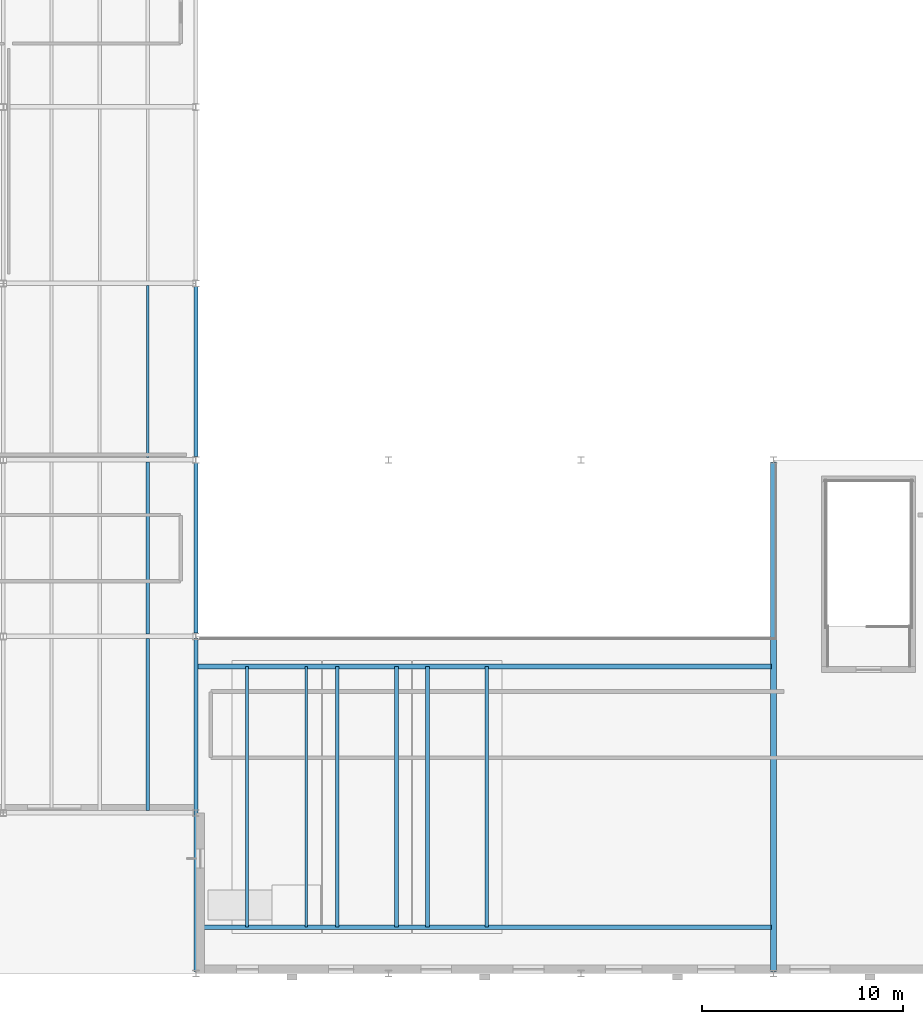
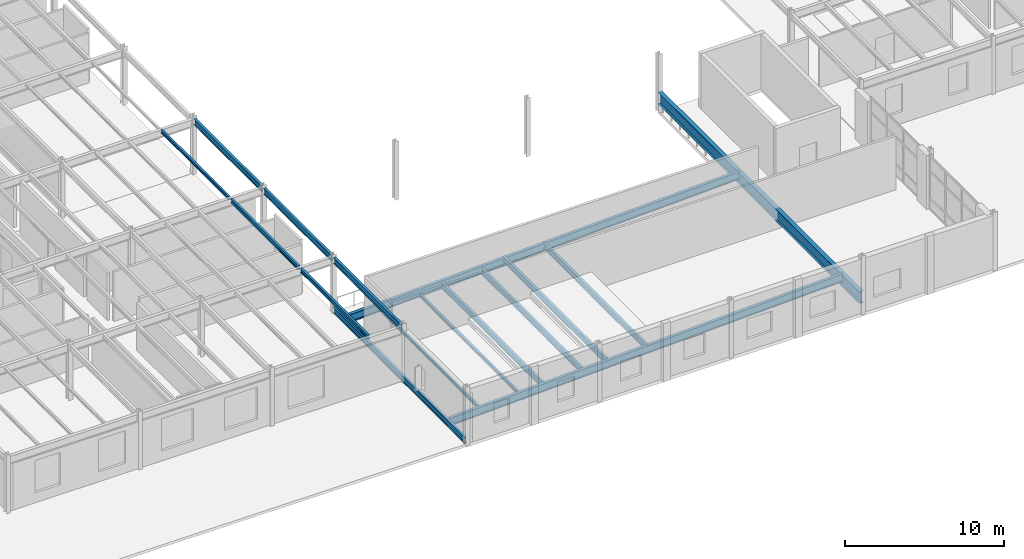
# One storey, part 20 of 77: 16 beams.
"""IFC4 building model written with IfcOpenShell, lengths in metres."""

from ifc_helpers import new_model, si_unit, direction, frame, origin, origin_2d, place, context, subcontext, project, spatial, i_section, extrude, material, material_profile, profile_set, type_object, element, save


model = new_model("IFC4")

# Units and contexts
model_context = context("Model", 3, precision=1e-05, world=origin(), true_north=direction((0.0, 1.0)))
body_context = subcontext(model_context, "Body", "Model", "MODEL_VIEW")
ifc_project = project(units=[si_unit("LENGTHUNIT", "METRE"), si_unit("AREAUNIT", "SQUARE_METRE"), si_unit("VOLUMEUNIT", "CUBIC_METRE"), si_unit("PLANEANGLEUNIT", "RADIAN"), si_unit("MASSUNIT", "GRAM", prefix="KILO")], contexts=[model_context])

# Site, building, storey
site_placement = place(None, origin())
site = spatial("IfcSite", under=ifc_project, at=site_placement, CompositionType="ELEMENT")
building_placement = place(site_placement, origin())
building = spatial("IfcBuilding", under=site, at=building_placement, Name="Sarnbrook Museum", CompositionType="ELEMENT")
storey_placement = place(building_placement, frame((0.0, 0.0, 5.60009765625)))
storey = spatial("IfcBuildingStorey", under=building, at=storey_placement, Name="L01", CompositionType="ELEMENT", Elevation=5.60009765625)

# Beams
ifc_material_1 = material(Name="Structural Steel Grade 300PLUS (AS/NZS 3679.1, fy = 280 MPa for 17 < t <= 40 mm, 300 MPa for t <= 17 mm)", Category="steel")
ifc_material_profile_1 = material_profile(ifc_material_1, i_section(OverallWidth=0.18994140625, OverallDepth=0.45703125, WebThickness=0.009033203125, FlangeThickness=0.014404296875, FilletRadius=0.011474609375, at=origin_2d()), Name="460UB74.6")
ifc_profile_set_1 = profile_set([ifc_material_profile_1], Name="Structural Steel Grade 300PLUS (AS/NZS 3679.1, fy = 280 MPa for 17 < t <= 40 mm, 300 MPa for t <= 17 mm)")
beam_type_1 = type_object("IfcBeamType", Name="BM-UB460", PredefinedType="BEAM", material=ifc_profile_set_1)
beam_1_placement = place(storey_placement, frame((42.39990234375, 12.95751953125, 4.0615234375), z_axis=(0.0, 1.0, 0.0), x_axis=(-1.0, 0.0, 0.0)))
element("IfcBeam", 1, at=beam_1_placement, inside=storey, type_object=beam_type_1, Name="Girder 5:B-C L01", PredefinedType="BEAM", context=body_context, shape_type="SweptSolid", body=[
    extrude(i_section(OverallWidth=0.18994140625, OverallDepth=0.45703125, WebThickness=0.009033203125, FlangeThickness=0.014404296875, FilletRadius=0.011474609375, at=origin_2d()), origin(), (0.0, 0.0, 1.0), 8.48486328125),
])
beam_2_placement = place(storey_placement, frame((42.39990234375, 21.757568359375, 4.0615234375), z_axis=(0.0, 1.0, 0.0), x_axis=(-1.0, 0.0, 0.0)))
element("IfcBeam", 2, at=beam_2_placement, inside=storey, type_object=beam_type_1, Name="Girder 5:C-D L01", PredefinedType="BEAM", context=body_context, shape_type="SweptSolid", body=[
    extrude(i_section(OverallWidth=0.18994140625, OverallDepth=0.45703125, WebThickness=0.009033203125, FlangeThickness=0.014404296875, FilletRadius=0.011474609375, at=origin_2d()), origin(), (0.0, 0.0, 1.0), 8.47900390625),
])
beam_3_placement = place(storey_placement, frame((42.39990234375, 30.5634765625, 4.0615234375), z_axis=(0.0, 1.0, 0.0), x_axis=(-1.0, 0.0, 0.0)))
element("IfcBeam", 3, at=beam_3_placement, inside=storey, type_object=beam_type_1, Name="Girder 5:D-E L01", PredefinedType="BEAM", context=body_context, shape_type="SweptSolid", body=[
    extrude(i_section(OverallWidth=0.18994140625, OverallDepth=0.45703125, WebThickness=0.009033203125, FlangeThickness=0.014404296875, FilletRadius=0.011474609375, at=origin_2d()), origin(), (0.0, 0.0, 1.0), 8.47314453125),
])
beam_4_placement = place(storey_placement, frame((42.39990234375, 4.89990234375, 0.239990234375), z_axis=(0.0, 1.0, 0.0), x_axis=(-1.0, 0.0, 0.0)))
element("IfcBeam", 4, at=beam_4_placement, inside=storey, type_object=beam_type_1, Name="Auditorium Balcony West Support Girder L01", PredefinedType="BEAM", context=body_context, shape_type="SweptSolid", body=[
    extrude(i_section(OverallWidth=0.18994140625, OverallDepth=0.45703125, WebThickness=0.009033203125, FlangeThickness=0.014404296875, FilletRadius=0.011474609375, at=origin_2d()), origin(), (0.0, 0.0, 1.0), 16.60009765625),
])
for number, where, z_axis, x_axis, name in (
    (5, (49.449951171875, 7.10009765625, 0.54150390625), (0.0, 1.0, 0.0), (-1.0, 0.0, 0.0), "Auditorium Balcony Tier Bearer 2-1"),
    (6, (52.39990234375, 7.10009765625, 0.54150390625), (0.0, 1.0, 0.0), (-1.0, 0.0, 0.0), "Auditorium Balcony Tier Bearer 2-2"),
    (7, (53.949951171875, 7.10009765625, 0.951416015625), (0.0, 1.0, 0.0), (-1.0, 0.0, 0.0), "Auditorium Balcony Tier Bearer 3-1"),
    (8, (56.89990234375, 7.10009765625, 0.951416015625), (0.0, 1.0, 0.0), (-1.0, 0.0, 0.0), "Auditorium Balcony Tier Bearer 3-2"),
):
    element("IfcBeam", number, at=place(storey_placement, frame(where, z_axis=z_axis, x_axis=x_axis)), inside=storey, type_object=beam_type_1, Name=name, PredefinedType="BEAM", context=body_context, shape_type="SweptSolid", body=[
        extrude(i_section(OverallWidth=0.18994140625, OverallDepth=0.45703125, WebThickness=0.009033203125, FlangeThickness=0.014404296875, FilletRadius=0.011474609375, at=origin_2d()), origin(), (0.0, 0.0, 1.0), 13.0),
    ])
ifc_material_profile_2 = material_profile(ifc_material_1, i_section(OverallWidth=0.22802734375, OverallDepth=0.60693359375, WebThickness=0.01123046875, FlangeThickness=0.017333984375, FilletRadius=0.013916015625, at=origin_2d()), Name="610UB113")
ifc_profile_set_2 = profile_set([ifc_material_profile_2], Name="Structural Steel Grade 300PLUS (AS/NZS 3679.1, fy = 280 MPa for 17 < t <= 40 mm, 300 MPa for t <= 17 mm)")
beam_type_2 = type_object("IfcBeamType", Name="BM-UB610", PredefinedType="BEAM", material=ifc_profile_set_2)
for number, where, z_axis, x_axis, name in (
    (9, (42.47998046875, 7.10009765625, 0.31982421875), (0.999261048628, 0.0, 0.038436398043), (0.0, 1.0, 0.0), "Auditorium Balcony Raker Girder S L01"),
    (10, (42.47998046875, 20.10009765625, 0.31982421875), (0.999261048628, 0.0, 0.038436398043), (0.0, 1.0, 0.0), "Auditorium Balcony Raker Girder N L01"),
):
    element("IfcBeam", number, at=place(storey_placement, frame(where, z_axis=z_axis, x_axis=x_axis)), inside=storey, type_object=beam_type_2, Name=name, PredefinedType="BEAM", context=body_context, shape_type="SweptSolid", body=[
        extrude(i_section(OverallWidth=0.22802734375, OverallDepth=0.60693359375, WebThickness=0.01123046875, FlangeThickness=0.017333984375, FilletRadius=0.013916015625, at=origin_2d()), origin(), (0.0, 0.0, 1.0), 28.621337890625),
    ])
ifc_material_2 = material(Name="Structural Steel Grade 350L0 (AS/NZS 3678, fy = 340 MPa for 20 < t <= 40 mm)", Category="steel")
ifc_material_profile_3 = material_profile(ifc_material_2, i_section(OverallWidth=0.300048828125, OverallDepth=0.89990234375, WebThickness=0.011962890625, FlangeThickness=0.02001953125, at=origin_2d()), Name="900WB175")
ifc_profile_set_3 = profile_set([ifc_material_profile_3], Name="Structural Steel Grade 350L0 (AS/NZS 3678, fy = 340 MPa for 20 < t <= 40 mm)")
beam_type_3 = type_object("IfcBeamType", Name="BM-WB900", PredefinedType="BEAM", material=ifc_profile_set_3)
beam_5_placement = place(storey_placement, frame((71.199951171875, 4.89990234375, 1.14990234375), z_axis=(0.0, 1.0, 0.0), x_axis=(-1.0, 0.0, 0.0)))
element("IfcBeam", 11, at=beam_5_placement, inside=storey, type_object=beam_type_3, Name="Auditorium Balcony East Support Girder L01", PredefinedType="BEAM", context=body_context, shape_type="SweptSolid", body=[
    extrude(i_section(OverallWidth=0.300048828125, OverallDepth=0.89990234375, WebThickness=0.011962890625, FlangeThickness=0.02001953125, at=origin_2d()), origin(), (0.0, 0.0, 1.0), 25.400146484375),
])
ifc_material_profile_4 = material_profile(ifc_material_1, i_section(OverallWidth=0.14599609375, OverallDepth=0.256103515625, WebThickness=0.00634765625, FlangeThickness=0.010986328125, FilletRadius=0.0087890625, at=origin_2d()), Name="250UB37.3")
ifc_profile_set_4 = profile_set([ifc_material_profile_4], Name="Structural Steel Grade 300PLUS (AS/NZS 3679.1, fy = 280 MPa for 17 < t <= 40 mm, 300 MPa for t <= 17 mm)")
beam_type_4 = type_object("IfcBeamType", Name="JS-UB250", PredefinedType="JOIST", material=ifc_profile_set_4)
beam_6_placement = place(storey_placement, frame((40.0, 30.513916015625, 4.161865234375), z_axis=(0.0, 1.0, 0.0), x_axis=(-1.0, 0.0, 0.0)))
element("IfcBeam", 12, at=beam_6_placement, inside=storey, type_object=beam_type_4, Name="Composite Floor Joist 4D-3 L01", PredefinedType="JOIST", context=body_context, shape_type="SweptSolid", body=[
    extrude(i_section(OverallWidth=0.14599609375, OverallDepth=0.256103515625, WebThickness=0.00634765625, FlangeThickness=0.010986328125, FilletRadius=0.0087890625, at=origin_2d()), origin(), (0.0, 0.0, 1.0), 8.572021484375),
])
for number, where, z_axis, x_axis, name in (
    (13, (44.949951171875, 7.10009765625, 0.23193359375), (0.0, 1.0, 0.0), (-1.0, 0.0, 0.0), "Auditorium Balcony Tier Bearer 1-1"),
    (14, (47.89990234375, 7.10009765625, 0.23193359375), (0.0, 1.0, 0.0), (-1.0, 0.0, 0.0), "Auditorium Balcony Tier Bearer 1-2"),
):
    element("IfcBeam", number, at=place(storey_placement, frame(where, z_axis=z_axis, x_axis=x_axis)), inside=storey, type_object=beam_type_4, Name=name, PredefinedType="JOIST", context=body_context, shape_type="SweptSolid", body=[
        extrude(i_section(OverallWidth=0.14599609375, OverallDepth=0.256103515625, WebThickness=0.00634765625, FlangeThickness=0.010986328125, FilletRadius=0.0087890625, at=origin_2d()), origin(), (0.0, 0.0, 1.0), 13.0),
    ])
ifc_material_profile_5 = material_profile(ifc_material_1, i_section(OverallWidth=0.1650390625, OverallDepth=0.303955078125, WebThickness=0.006103515625, FlangeThickness=0.01025390625, FilletRadius=0.011474609375, at=origin_2d()), Name="310UB40.4")
ifc_profile_set_5 = profile_set([ifc_material_profile_5], Name="Structural Steel Grade 300PLUS (AS/NZS 3679.1, fy = 280 MPa for 17 < t <= 40 mm, 300 MPa for t <= 17 mm)")
beam_type_5 = type_object("IfcBeamType", Name="JS-UB310", PredefinedType="JOIST", material=ifc_profile_set_5)
beam_7_placement = place(storey_placement, frame((40.0, 21.714111328125, 4.137939453125), z_axis=(0.0, 1.0, 0.0), x_axis=(-1.0, 0.0, 0.0)))
element("IfcBeam", 15, at=beam_7_placement, inside=storey, type_object=beam_type_5, Name="Composite Floor Joist 4C-3 L01", PredefinedType="JOIST", context=body_context, shape_type="SweptSolid", body=[
    extrude(i_section(OverallWidth=0.1650390625, OverallDepth=0.303955078125, WebThickness=0.006103515625, FlangeThickness=0.01025390625, FilletRadius=0.011474609375, at=origin_2d()), origin(), (0.0, 0.0, 1.0), 8.57177734375),
])
ifc_material_profile_6 = material_profile(ifc_material_1, i_section(OverallWidth=0.166015625, OverallDepth=0.306884765625, WebThickness=0.006591796875, FlangeThickness=0.01171875, FilletRadius=0.011474609375, at=origin_2d()), Name="310UB46.2")
ifc_profile_set_6 = profile_set([ifc_material_profile_6], Name="Structural Steel Grade 300PLUS (AS/NZS 3679.1, fy = 280 MPa for 17 < t <= 40 mm, 300 MPa for t <= 17 mm)")
beam_type_6 = type_object("IfcBeamType", Name="JS-UB310H", PredefinedType="JOIST", material=ifc_profile_set_6)
beam_8_placement = place(storey_placement, frame((40.0, 12.9140625, 4.136474609375), z_axis=(0.0, 1.0, 0.0), x_axis=(-1.0, 0.0, 0.0)))
element("IfcBeam", 16, at=beam_8_placement, inside=storey, type_object=beam_type_6, Name="Composite Floor Joist 4B-3 L01", PredefinedType="JOIST", context=body_context, shape_type="SweptSolid", body=[
    extrude(i_section(OverallWidth=0.166015625, OverallDepth=0.306884765625, WebThickness=0.006591796875, FlangeThickness=0.01171875, FilletRadius=0.011474609375, at=origin_2d()), origin(), (0.0, 0.0, 1.0), 8.572021484375),
])

save(model, "model.ifc")
